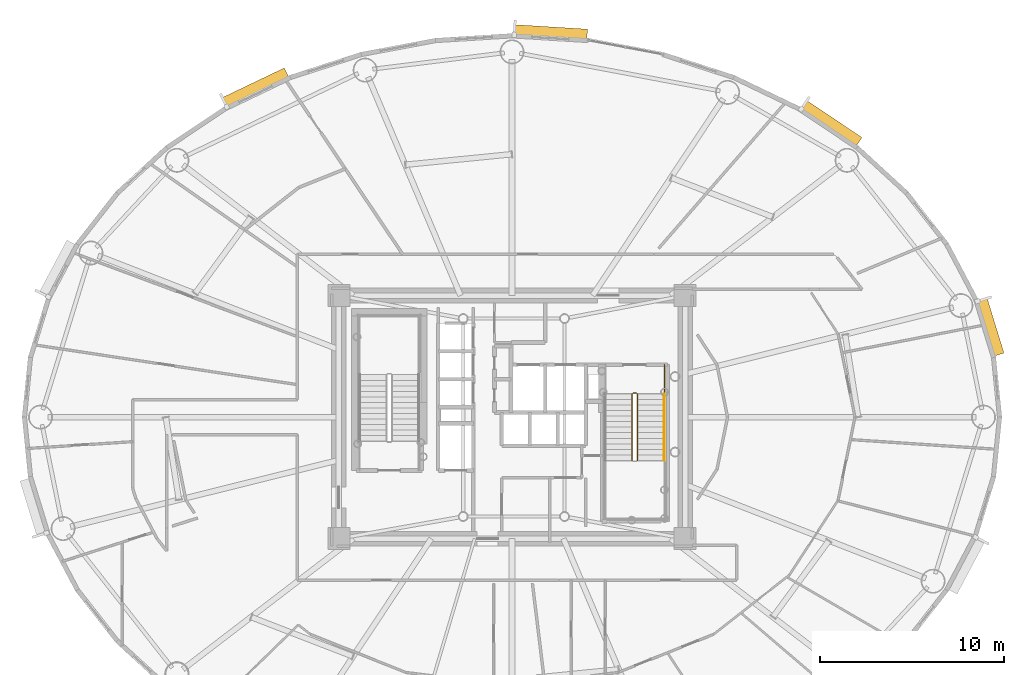
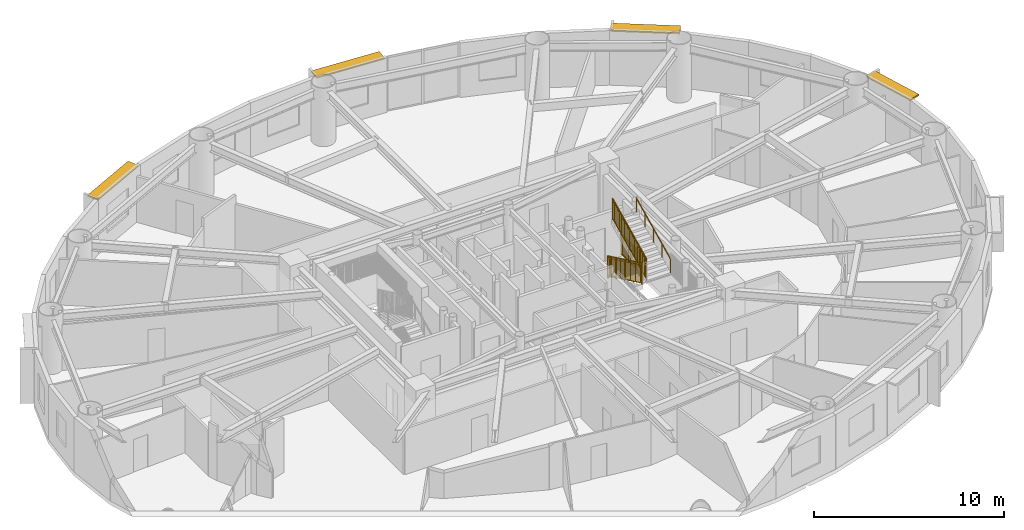
# One storey, part 21 of 21: 5 railings, 4 shading devices.
"""IFC4 building model written with IfcOpenShell, lengths in metres."""

from ifc_helpers import new_model, si_unit, direction, frame, origin, origin_2d, place, context, subcontext, project, spatial, rectangle, extrude, source, transform, mapped, material, layer, layer_set, type_object, element, save


model = new_model("IFC4")

# Units and contexts
model_context = context("Model", 3, precision=1e-05, world=origin(), true_north=direction((0.0, 1.0)))
body_context = subcontext(model_context, "Body", "Model", "MODEL_VIEW")
ifc_project = project(units=[si_unit("LENGTHUNIT", "METRE"), si_unit("AREAUNIT", "SQUARE_METRE"), si_unit("VOLUMEUNIT", "CUBIC_METRE"), si_unit("PLANEANGLEUNIT", "RADIAN"), si_unit("MASSUNIT", "GRAM", prefix="KILO")], contexts=[model_context])

# Site, building, storey
site_placement = place(None, origin())
site = spatial("IfcSite", under=ifc_project, at=site_placement, CompositionType="ELEMENT")
building_placement = place(site_placement, origin())
building = spatial("IfcBuilding", under=site, at=building_placement, Name="Linh Dai School and Residence Tower", CompositionType="ELEMENT")
storey_placement = place(building_placement, frame((0.0, 0.0, 171.14990234375)))
storey = spatial("IfcBuildingStorey", under=building, at=storey_placement, Name="L41", CompositionType="ELEMENT", Elevation=171.14990234375)

# Shading devices
ifc_material_1 = material(Name="Terracotta Ceramic Sunshade", Category="masonry")
ifc_layer = layer(ifc_material_1, 0.10009765625)
ifc_layer_set = layer_set([ifc_layer], Name="Terracotta Ceramic Sunshade")
shading_device_type = type_object("IfcShadingDeviceType", Name="SHD-TC-650", PredefinedType="USERDEFINED", material=ifc_layer_set)
shared_shape_1 = source(origin(), body_context, "Body", "SweptSolid", [
    extrude(rectangle(XDim=3.168212890625, YDim=0.64990234375, at=origin_2d()), origin(), (0.0, 0.0, 1.0), 0.10009765625),
])
shading_device_1_placement = place(storey_placement, frame((61.938720703125, 31.894775390625, 3.380126953125), z_axis=(0.0, 0.0, 1.0), x_axis=(0.293121969301, -0.956075055167, 0.0)))
element("IfcShadingDevice", 1, at=shading_device_1_placement, inside=storey, type_object=shading_device_type, Name="L41 Terracotta Horizontal Sunshade Band 02", ObjectType="SUNSHADE", PredefinedType="USERDEFINED", context=body_context, shape_type="MappedRepresentation", body=[
    mapped(shared_shape_1, transform((0.0, 0.0, 0.0), x_axis=(1.0, 0.0, 0.0), y_axis=(0.0, 1.0, 0.0), z_axis=(0.0, 0.0, 1.0), scale=1.0)),
])
shared_shape_2 = source(origin(), body_context, "Body", "SweptSolid", [
    extrude(rectangle(XDim=3.64794921875, YDim=0.64990234375, at=origin_2d()), origin(), (0.0, 0.0, 1.0), 0.10009765625),
])
shading_device_2_placement = place(storey_placement, frame((53.31103515625, 42.923828125, 3.380126953125), z_axis=(0.0, 0.0, 1.0), x_axis=(0.831228338651, -0.555931154932, 0.0)))
element("IfcShadingDevice", 2, at=shading_device_2_placement, inside=storey, type_object=shading_device_type, Name="L41 Terracotta Horizontal Sunshade Band 06", ObjectType="SUNSHADE", PredefinedType="USERDEFINED", context=body_context, shape_type="MappedRepresentation", body=[
    mapped(shared_shape_2, transform((0.0, 0.0, 0.0), x_axis=(1.0, 0.0, 0.0), y_axis=(0.0, 1.0, 0.0), z_axis=(0.0, 0.0, 1.0), scale=1.0)),
])
shared_shape_3 = source(origin(), body_context, "Body", "SweptSolid", [
    extrude(rectangle(XDim=3.987548828125, YDim=0.64990234375, at=origin_2d()), origin(), (0.0, 0.0, 1.0), 0.10009765625),
])
shading_device_3_placement = place(storey_placement, frame((38.09033203125, 47.86181640625, 3.380126953125), z_axis=(0.0, 0.0, 1.0), x_axis=(0.99810632076, -0.061512376467, 0.0)))
element("IfcShadingDevice", 3, at=shading_device_3_placement, inside=storey, type_object=shading_device_type, Name="L41 Terracotta Horizontal Sunshade Band 10", ObjectType="SUNSHADE", PredefinedType="USERDEFINED", context=body_context, shape_type="MappedRepresentation", body=[
    mapped(shared_shape_3, transform((0.0, 0.0, 0.0), x_axis=(1.0, 0.0, 0.0), y_axis=(0.0, 1.0, 0.0), z_axis=(0.0, 0.0, 1.0), scale=1.0)),
])
shared_shape_4 = source(origin(), body_context, "Body", "SweptSolid", [
    extrude(rectangle(XDim=3.773193359375, YDim=0.64990234375, at=origin_2d()), origin(), (0.0, 0.0, 1.0), 0.10009765625),
])
shading_device_4_placement = place(storey_placement, frame((22.0751953125, 44.850341796875, 3.380126953125), z_axis=(0.0, 0.0, 1.0), x_axis=(0.901569306779, 0.432634701653, 0.0)))
element("IfcShadingDevice", 4, at=shading_device_4_placement, inside=storey, type_object=shading_device_type, Name="L41 Terracotta Horizontal Sunshade Band 14", ObjectType="SUNSHADE", PredefinedType="USERDEFINED", context=body_context, shape_type="MappedRepresentation", body=[
    mapped(shared_shape_4, transform((0.0, 0.0, 0.0), x_axis=(1.0, 0.0, 0.0), y_axis=(0.0, 1.0, 0.0), z_axis=(0.0, 0.0, 1.0), scale=1.0)),
])

# Railings
ifc_material_2 = material(Name="Structural Steel S355JR", Category="steel")
railing_type_1 = type_object("IfcRailingType", Name="RL-ST-GUARD-1400", PredefinedType="GUARDRAIL", material=ifc_material_2)
shared_shape_5 = source(origin(), body_context, "Body", "SweptSolid", [
    extrude(rectangle(XDim=0.048095703125, YDim=0.048095703125, at=origin_2d()), frame((0.0, 0.0, 1.3759765625), z_axis=(0.0, 0.901262522062, 0.433273431364), x_axis=(-1.0, 0.0, 0.0)), (0.0, 0.0, 1.0), 3.994384765625),
    extrude(rectangle(XDim=0.048095703125, YDim=0.048095703125, at=origin_2d()), frame((0.0, 0.0, 0.10009765625), z_axis=(0.0, 0.901262522062, 0.433273431364), x_axis=(-1.0, 0.0, 0.0)), (0.0, 0.0, 1.0), 3.994384765625),
    extrude(rectangle(XDim=0.030029296875, YDim=0.030029296875, at=origin_2d()), frame((0.0, 0.0, 1.239990234375), z_axis=(0.0, 0.901262522062, 0.433273431364), x_axis=(-1.0, 0.0, 0.0)), (0.0, 0.0, 1.0), 3.994384765625),
    extrude(rectangle(XDim=0.02001953125, YDim=0.02001953125, at=origin_2d()), frame((0.0, 0.087890625, 0.142333984375)), (0.0, 0.0, 1.0), 1.251708984375),
    extrude(rectangle(XDim=0.02001953125, YDim=0.02001953125, at=origin_2d()), frame((0.0, 0.175537109375, 0.1845703125)), (0.0, 0.0, 1.0), 1.251708984375),
    extrude(rectangle(XDim=0.02001953125, YDim=0.02001953125, at=origin_2d()), frame((0.0, 0.263427734375, 0.226806640625)), (0.0, 0.0, 1.0), 1.251708984375),
    extrude(rectangle(XDim=0.02001953125, YDim=0.02001953125, at=origin_2d()), frame((0.0, 0.351318359375, 0.26904296875)), (0.0, 0.0, 1.0), 1.251708984375),
    extrude(rectangle(XDim=0.02001953125, YDim=0.02001953125, at=origin_2d()), frame((0.0, 0.43896484375, 0.311279296875)), (0.0, 0.0, 1.0), 1.251708984375),
    extrude(rectangle(XDim=0.02001953125, YDim=0.02001953125, at=origin_2d()), frame((0.0, 0.52685546875, 0.353271484375)), (0.0, 0.0, 1.0), 1.251708984375),
    extrude(rectangle(XDim=0.02001953125, YDim=0.02001953125, at=origin_2d()), frame((0.0, 0.61474609375, 0.3955078125)), (0.0, 0.0, 1.0), 1.251708984375),
    extrude(rectangle(XDim=0.02001953125, YDim=0.02001953125, at=origin_2d()), frame((0.0, 0.702392578125, 0.437744140625)), (0.0, 0.0, 1.0), 1.251708984375),
    extrude(rectangle(XDim=0.02001953125, YDim=0.02001953125, at=origin_2d()), frame((0.0, 0.790283203125, 0.47998046875)), (0.0, 0.0, 1.0), 1.251708984375),
    extrude(rectangle(XDim=0.02001953125, YDim=0.02001953125, at=origin_2d()), frame((0.0, 0.9658203125, 0.564453125)), (0.0, 0.0, 1.0), 1.251708984375),
    extrude(rectangle(XDim=0.02001953125, YDim=0.02001953125, at=origin_2d()), frame((0.0, 1.0537109375, 0.606689453125)), (0.0, 0.0, 1.0), 1.251708984375),
    extrude(rectangle(XDim=0.02001953125, YDim=0.02001953125, at=origin_2d()), frame((0.0, 1.1416015625, 0.64892578125)), (0.0, 0.0, 1.0), 1.251708984375),
    extrude(rectangle(XDim=0.02001953125, YDim=0.02001953125, at=origin_2d()), frame((0.0, 1.229248046875, 0.691162109375)), (0.0, 0.0, 1.0), 1.251708984375),
    extrude(rectangle(XDim=0.02001953125, YDim=0.02001953125, at=origin_2d()), frame((0.0, 1.317138671875, 0.7333984375)), (0.0, 0.0, 1.0), 1.251708984375),
    extrude(rectangle(XDim=0.02001953125, YDim=0.02001953125, at=origin_2d()), frame((0.0, 1.405029296875, 0.775390625)), (0.0, 0.0, 1.0), 1.251708984375),
    extrude(rectangle(XDim=0.02001953125, YDim=0.02001953125, at=origin_2d()), frame((0.0, 1.49267578125, 0.817626953125)), (0.0, 0.0, 1.0), 1.251708984375),
    extrude(rectangle(XDim=0.02001953125, YDim=0.02001953125, at=origin_2d()), frame((0.0, 1.58056640625, 0.85986328125)), (0.0, 0.0, 1.0), 1.251708984375),
    extrude(rectangle(XDim=0.02001953125, YDim=0.02001953125, at=origin_2d()), frame((0.0, 1.66845703125, 0.902099609375)), (0.0, 0.0, 1.0), 1.251708984375),
    extrude(rectangle(XDim=0.02001953125, YDim=0.02001953125, at=origin_2d()), frame((0.0, 1.756103515625, 0.9443359375)), (0.0, 0.0, 1.0), 1.251708984375),
    extrude(rectangle(XDim=0.02001953125, YDim=0.02001953125, at=origin_2d()), frame((0.0, 1.843994140625, 0.986572265625)), (0.0, 0.0, 1.0), 1.251708984375),
    extrude(rectangle(XDim=0.02001953125, YDim=0.02001953125, at=origin_2d()), frame((0.0, 1.931640625, 1.02880859375)), (0.0, 0.0, 1.0), 1.251708984375),
    extrude(rectangle(XDim=0.02001953125, YDim=0.02001953125, at=origin_2d()), frame((0.0, 2.01953125, 1.071044921875)), (0.0, 0.0, 1.0), 1.251708984375),
    extrude(rectangle(XDim=0.02001953125, YDim=0.02001953125, at=origin_2d()), frame((0.0, 2.107421875, 1.11328125)), (0.0, 0.0, 1.0), 1.251708984375),
    extrude(rectangle(XDim=0.02001953125, YDim=0.02001953125, at=origin_2d()), frame((0.0, 2.195068359375, 1.155517578125)), (0.0, 0.0, 1.0), 1.251708984375),
    extrude(rectangle(XDim=0.02001953125, YDim=0.02001953125, at=origin_2d()), frame((0.0, 2.282958984375, 1.197509765625)), (0.0, 0.0, 1.0), 1.251708984375),
    extrude(rectangle(XDim=0.02001953125, YDim=0.02001953125, at=origin_2d()), frame((0.0, 2.370849609375, 1.23974609375)), (0.0, 0.0, 1.0), 1.251708984375),
    extrude(rectangle(XDim=0.02001953125, YDim=0.02001953125, at=origin_2d()), frame((0.0, 2.45849609375, 1.281982421875)), (0.0, 0.0, 1.0), 1.251708984375),
    extrude(rectangle(XDim=0.02001953125, YDim=0.02001953125, at=origin_2d()), frame((0.0, 2.54638671875, 1.32421875)), (0.0, 0.0, 1.0), 1.251708984375),
    extrude(rectangle(XDim=0.02001953125, YDim=0.02001953125, at=origin_2d()), frame((0.0, 2.63427734375, 1.366455078125)), (0.0, 0.0, 1.0), 1.251708984375),
    extrude(rectangle(XDim=0.02001953125, YDim=0.02001953125, at=origin_2d()), frame((0.0, 2.809814453125, 1.450927734375)), (0.0, 0.0, 1.0), 1.251708984375),
    extrude(rectangle(XDim=0.02001953125, YDim=0.02001953125, at=origin_2d()), frame((0.0, 2.897705078125, 1.4931640625)), (0.0, 0.0, 1.0), 1.251708984375),
    extrude(rectangle(XDim=0.02001953125, YDim=0.02001953125, at=origin_2d()), frame((0.0, 2.9853515625, 1.535400390625)), (0.0, 0.0, 1.0), 1.251708984375),
    extrude(rectangle(XDim=0.02001953125, YDim=0.02001953125, at=origin_2d()), frame((0.0, 3.0732421875, 1.57763671875)), (0.0, 0.0, 1.0), 1.251708984375),
    extrude(rectangle(XDim=0.02001953125, YDim=0.02001953125, at=origin_2d()), frame((0.0, 3.1611328125, 1.61962890625)), (0.0, 0.0, 1.0), 1.251708984375),
    extrude(rectangle(XDim=0.02001953125, YDim=0.02001953125, at=origin_2d()), frame((0.0, 3.248779296875, 1.661865234375)), (0.0, 0.0, 1.0), 1.251708984375),
    extrude(rectangle(XDim=0.02001953125, YDim=0.02001953125, at=origin_2d()), frame((0.0, 3.336669921875, 1.7041015625)), (0.0, 0.0, 1.0), 1.251708984375),
    extrude(rectangle(XDim=0.02001953125, YDim=0.02001953125, at=origin_2d()), frame((0.0, 3.424560546875, 1.746337890625)), (0.0, 0.0, 1.0), 1.251708984375),
    extrude(rectangle(XDim=0.02001953125, YDim=0.02001953125, at=origin_2d()), frame((0.0, 3.51220703125, 1.78857421875)), (0.0, 0.0, 1.0), 1.251708984375),
    extrude(rectangle(XDim=0.0419921875, YDim=0.0419921875, at=origin_2d()), origin(), (0.0, 0.0, 1.0), 1.3759765625),
    extrude(rectangle(XDim=0.0419921875, YDim=0.0419921875, at=origin_2d()), frame((0.0, 0.89990234375, 0.4326171875)), (0.0, 0.0, 1.0), 1.3759765625),
    extrude(rectangle(XDim=0.0419921875, YDim=0.0419921875, at=origin_2d()), frame((0.0, 1.800048828125, 0.865234375)), (0.0, 0.0, 1.0), 1.3759765625),
    extrude(rectangle(XDim=0.0419921875, YDim=0.0419921875, at=origin_2d()), frame((0.0, 2.7001953125, 1.298095703125)), (0.0, 0.0, 1.0), 1.3759765625),
    extrude(rectangle(XDim=0.0419921875, YDim=0.0419921875, at=origin_2d()), frame((0.0, 3.60009765625, 1.730712890625)), (0.0, 0.0, 1.0), 1.3759765625),
])
railing_1_placement = place(storey_placement, frame((42.820068359375, 24.64990234375, 2.019287109375)))
element("IfcRailing", 5, at=railing_1_placement, inside=storey, type_object=railing_type_1, Name="L41 ST2 stair guard 6", PredefinedType="GUARDRAIL", context=body_context, shape_type="MappedRepresentation", body=[
    mapped(shared_shape_5, transform((0.0, 0.0, 0.0), x_axis=(1.0, 0.0, 0.0), y_axis=(0.0, 1.0, 0.0), z_axis=(0.0, 0.0, 1.0), scale=1.0)),
])
shared_shape_6 = source(origin(), body_context, "Body", "SweptSolid", [
    extrude(rectangle(XDim=0.048095703125, YDim=0.048095703125, at=origin_2d()), frame((0.0, 0.0, 1.3759765625), z_axis=(0.0, -0.901262522062, 0.433273431364), x_axis=(1.0, 0.0, 0.0)), (0.0, 0.0, 1.0), 3.994384765625),
    extrude(rectangle(XDim=0.048095703125, YDim=0.048095703125, at=origin_2d()), frame((0.0, 0.0, 0.10009765625), z_axis=(0.0, -0.901262522062, 0.433273431364), x_axis=(1.0, 0.0, 0.0)), (0.0, 0.0, 1.0), 3.994384765625),
    extrude(rectangle(XDim=0.030029296875, YDim=0.030029296875, at=origin_2d()), frame((0.0, 0.0, 1.239990234375), z_axis=(0.0, -0.901262522062, 0.433273431364), x_axis=(1.0, 0.0, 0.0)), (0.0, 0.0, 1.0), 3.994384765625),
    extrude(rectangle(XDim=0.02001953125, YDim=0.02001953125, at=origin_2d()), frame((0.0, -0.087890625, 0.142333984375)), (0.0, 0.0, 1.0), 1.251708984375),
    extrude(rectangle(XDim=0.02001953125, YDim=0.02001953125, at=origin_2d()), frame((0.0, -0.175537109375, 0.1845703125)), (0.0, 0.0, 1.0), 1.251708984375),
    extrude(rectangle(XDim=0.02001953125, YDim=0.02001953125, at=origin_2d()), frame((0.0, -0.263427734375, 0.226806640625)), (0.0, 0.0, 1.0), 1.251708984375),
    extrude(rectangle(XDim=0.02001953125, YDim=0.02001953125, at=origin_2d()), frame((0.0, -0.351318359375, 0.26904296875)), (0.0, 0.0, 1.0), 1.251708984375),
    extrude(rectangle(XDim=0.02001953125, YDim=0.02001953125, at=origin_2d()), frame((0.0, -0.43896484375, 0.311279296875)), (0.0, 0.0, 1.0), 1.251708984375),
    extrude(rectangle(XDim=0.02001953125, YDim=0.02001953125, at=origin_2d()), frame((0.0, -0.52685546875, 0.353271484375)), (0.0, 0.0, 1.0), 1.251708984375),
    extrude(rectangle(XDim=0.02001953125, YDim=0.02001953125, at=origin_2d()), frame((0.0, -0.61474609375, 0.3955078125)), (0.0, 0.0, 1.0), 1.251708984375),
    extrude(rectangle(XDim=0.02001953125, YDim=0.02001953125, at=origin_2d()), frame((0.0, -0.702392578125, 0.437744140625)), (0.0, 0.0, 1.0), 1.251708984375),
    extrude(rectangle(XDim=0.02001953125, YDim=0.02001953125, at=origin_2d()), frame((0.0, -0.790283203125, 0.47998046875)), (0.0, 0.0, 1.0), 1.251708984375),
    extrude(rectangle(XDim=0.02001953125, YDim=0.02001953125, at=origin_2d()), frame((0.0, -0.9658203125, 0.564453125)), (0.0, 0.0, 1.0), 1.251708984375),
    extrude(rectangle(XDim=0.02001953125, YDim=0.02001953125, at=origin_2d()), frame((0.0, -1.0537109375, 0.606689453125)), (0.0, 0.0, 1.0), 1.251708984375),
    extrude(rectangle(XDim=0.02001953125, YDim=0.02001953125, at=origin_2d()), frame((0.0, -1.1416015625, 0.64892578125)), (0.0, 0.0, 1.0), 1.251708984375),
    extrude(rectangle(XDim=0.02001953125, YDim=0.02001953125, at=origin_2d()), frame((0.0, -1.229248046875, 0.691162109375)), (0.0, 0.0, 1.0), 1.251708984375),
    extrude(rectangle(XDim=0.02001953125, YDim=0.02001953125, at=origin_2d()), frame((0.0, -1.317138671875, 0.7333984375)), (0.0, 0.0, 1.0), 1.251708984375),
    extrude(rectangle(XDim=0.02001953125, YDim=0.02001953125, at=origin_2d()), frame((0.0, -1.405029296875, 0.775390625)), (0.0, 0.0, 1.0), 1.251708984375),
    extrude(rectangle(XDim=0.02001953125, YDim=0.02001953125, at=origin_2d()), frame((0.0, -1.49267578125, 0.817626953125)), (0.0, 0.0, 1.0), 1.251708984375),
    extrude(rectangle(XDim=0.02001953125, YDim=0.02001953125, at=origin_2d()), frame((0.0, -1.58056640625, 0.85986328125)), (0.0, 0.0, 1.0), 1.251708984375),
    extrude(rectangle(XDim=0.02001953125, YDim=0.02001953125, at=origin_2d()), frame((0.0, -1.66845703125, 0.902099609375)), (0.0, 0.0, 1.0), 1.251708984375),
    extrude(rectangle(XDim=0.02001953125, YDim=0.02001953125, at=origin_2d()), frame((0.0, -1.756103515625, 0.9443359375)), (0.0, 0.0, 1.0), 1.251708984375),
    extrude(rectangle(XDim=0.02001953125, YDim=0.02001953125, at=origin_2d()), frame((0.0, -1.843994140625, 0.986572265625)), (0.0, 0.0, 1.0), 1.251708984375),
    extrude(rectangle(XDim=0.02001953125, YDim=0.02001953125, at=origin_2d()), frame((0.0, -1.931640625, 1.02880859375)), (0.0, 0.0, 1.0), 1.251708984375),
    extrude(rectangle(XDim=0.02001953125, YDim=0.02001953125, at=origin_2d()), frame((0.0, -2.01953125, 1.071044921875)), (0.0, 0.0, 1.0), 1.251708984375),
    extrude(rectangle(XDim=0.02001953125, YDim=0.02001953125, at=origin_2d()), frame((0.0, -2.107421875, 1.11328125)), (0.0, 0.0, 1.0), 1.251708984375),
    extrude(rectangle(XDim=0.02001953125, YDim=0.02001953125, at=origin_2d()), frame((0.0, -2.195068359375, 1.155517578125)), (0.0, 0.0, 1.0), 1.251708984375),
    extrude(rectangle(XDim=0.02001953125, YDim=0.02001953125, at=origin_2d()), frame((0.0, -2.282958984375, 1.197509765625)), (0.0, 0.0, 1.0), 1.251708984375),
    extrude(rectangle(XDim=0.02001953125, YDim=0.02001953125, at=origin_2d()), frame((0.0, -2.370849609375, 1.23974609375)), (0.0, 0.0, 1.0), 1.251708984375),
    extrude(rectangle(XDim=0.02001953125, YDim=0.02001953125, at=origin_2d()), frame((0.0, -2.45849609375, 1.281982421875)), (0.0, 0.0, 1.0), 1.251708984375),
    extrude(rectangle(XDim=0.02001953125, YDim=0.02001953125, at=origin_2d()), frame((0.0, -2.54638671875, 1.32421875)), (0.0, 0.0, 1.0), 1.251708984375),
    extrude(rectangle(XDim=0.02001953125, YDim=0.02001953125, at=origin_2d()), frame((0.0, -2.63427734375, 1.366455078125)), (0.0, 0.0, 1.0), 1.251708984375),
    extrude(rectangle(XDim=0.02001953125, YDim=0.02001953125, at=origin_2d()), frame((0.0, -2.809814453125, 1.450927734375)), (0.0, 0.0, 1.0), 1.251708984375),
    extrude(rectangle(XDim=0.02001953125, YDim=0.02001953125, at=origin_2d()), frame((0.0, -2.897705078125, 1.4931640625)), (0.0, 0.0, 1.0), 1.251708984375),
    extrude(rectangle(XDim=0.02001953125, YDim=0.02001953125, at=origin_2d()), frame((0.0, -2.9853515625, 1.535400390625)), (0.0, 0.0, 1.0), 1.251708984375),
    extrude(rectangle(XDim=0.02001953125, YDim=0.02001953125, at=origin_2d()), frame((0.0, -3.0732421875, 1.57763671875)), (0.0, 0.0, 1.0), 1.251708984375),
    extrude(rectangle(XDim=0.02001953125, YDim=0.02001953125, at=origin_2d()), frame((0.0, -3.1611328125, 1.61962890625)), (0.0, 0.0, 1.0), 1.251708984375),
    extrude(rectangle(XDim=0.02001953125, YDim=0.02001953125, at=origin_2d()), frame((0.0, -3.248779296875, 1.661865234375)), (0.0, 0.0, 1.0), 1.251708984375),
    extrude(rectangle(XDim=0.02001953125, YDim=0.02001953125, at=origin_2d()), frame((0.0, -3.336669921875, 1.7041015625)), (0.0, 0.0, 1.0), 1.251708984375),
    extrude(rectangle(XDim=0.02001953125, YDim=0.02001953125, at=origin_2d()), frame((0.0, -3.424560546875, 1.746337890625)), (0.0, 0.0, 1.0), 1.251708984375),
    extrude(rectangle(XDim=0.02001953125, YDim=0.02001953125, at=origin_2d()), frame((0.0, -3.51220703125, 1.78857421875)), (0.0, 0.0, 1.0), 1.251708984375),
    extrude(rectangle(XDim=0.0419921875, YDim=0.0419921875, at=origin_2d()), origin(), (0.0, 0.0, 1.0), 1.3759765625),
    extrude(rectangle(XDim=0.0419921875, YDim=0.0419921875, at=origin_2d()), frame((0.0, -0.89990234375, 0.4326171875)), (0.0, 0.0, 1.0), 1.3759765625),
    extrude(rectangle(XDim=0.0419921875, YDim=0.0419921875, at=origin_2d()), frame((0.0, -1.800048828125, 0.865234375)), (0.0, 0.0, 1.0), 1.3759765625),
    extrude(rectangle(XDim=0.0419921875, YDim=0.0419921875, at=origin_2d()), frame((0.0, -2.7001953125, 1.298095703125)), (0.0, 0.0, 1.0), 1.3759765625),
    extrude(rectangle(XDim=0.0419921875, YDim=0.0419921875, at=origin_2d()), frame((0.0, -3.60009765625, 1.730712890625)), (0.0, 0.0, 1.0), 1.3759765625),
])
railing_2_placement = place(storey_placement, frame((42.52001953125, 28.25, 0.144287109375)))
element("IfcRailing", 6, at=railing_2_placement, inside=storey, type_object=railing_type_1, Name="L41 ST2 stair guard 1", PredefinedType="GUARDRAIL", context=body_context, shape_type="MappedRepresentation", body=[
    mapped(shared_shape_6, transform((0.0, 0.0, 0.0), x_axis=(1.0, 0.0, 0.0), y_axis=(0.0, 1.0, 0.0), z_axis=(0.0, 0.0, 1.0), scale=1.0)),
])
ifc_material_3 = material(Name="Brushed Stainless Steel Handrail", Category="steel")
railing_type_2 = type_object("IfcRailingType", Name="RL-ST-HANDRAIL-900", PredefinedType="HANDRAIL", material=ifc_material_3)
shared_shape_7 = source(origin(), body_context, "Body", "SweptSolid", [
    extrude(rectangle(XDim=0.048095703125, YDim=0.048095703125, at=origin_2d()), frame((0.0, 0.0, 0.8759765625), z_axis=(0.0, 0.901262522062, 0.433273431364), x_axis=(-1.0, 0.0, 0.0)), (0.0, 0.0, 1.0), 3.994384765625),
    extrude(rectangle(XDim=0.0419921875, YDim=0.0419921875, at=origin_2d()), origin(), (0.0, 0.0, 1.0), 0.8759765625),
    extrude(rectangle(XDim=0.0419921875, YDim=0.0419921875, at=origin_2d()), frame((0.0, 0.89990234375, 0.4326171875)), (0.0, 0.0, 1.0), 0.8759765625),
    extrude(rectangle(XDim=0.0419921875, YDim=0.0419921875, at=origin_2d()), frame((0.0, 1.800048828125, 0.865234375)), (0.0, 0.0, 1.0), 0.8759765625),
    extrude(rectangle(XDim=0.0419921875, YDim=0.0419921875, at=origin_2d()), frame((0.0, 2.7001953125, 1.298095703125)), (0.0, 0.0, 1.0), 0.8759765625),
    extrude(rectangle(XDim=0.0419921875, YDim=0.0419921875, at=origin_2d()), frame((0.0, 3.60009765625, 1.730712890625)), (0.0, 0.0, 1.0), 0.8759765625),
])
railing_3_placement = place(storey_placement, frame((44.27001953125, 24.64990234375, 2.019287109375)))
element("IfcRailing", 7, at=railing_3_placement, inside=storey, type_object=railing_type_2, Name="L41 ST2 stair handrail 2", PredefinedType="HANDRAIL", context=body_context, shape_type="MappedRepresentation", body=[
    mapped(shared_shape_7, transform((0.0, 0.0, 0.0), x_axis=(1.0, 0.0, 0.0), y_axis=(0.0, 1.0, 0.0), z_axis=(0.0, 0.0, 1.0), scale=1.0)),
])
shared_shape_8 = source(origin(), body_context, "Body", "SweptSolid", [
    extrude(rectangle(XDim=0.048095703125, YDim=0.048095703125, at=origin_2d()), frame((0.0, 0.0, 1.3759765625), z_axis=(1.0, 0.0, 0.0), x_axis=(0.0, 1.0, 0.0)), (0.0, 0.0, 1.0), 0.199951171875),
    extrude(rectangle(XDim=0.048095703125, YDim=0.048095703125, at=origin_2d()), frame((0.0, 0.0, 0.10009765625), z_axis=(1.0, 0.0, 0.0), x_axis=(0.0, 1.0, 0.0)), (0.0, 0.0, 1.0), 0.199951171875),
    extrude(rectangle(XDim=0.030029296875, YDim=0.030029296875, at=origin_2d()), frame((0.0, 0.0, 1.239990234375), z_axis=(1.0, 0.0, 0.0), x_axis=(0.0, 1.0, 0.0)), (0.0, 0.0, 1.0), 0.199951171875),
    extrude(rectangle(XDim=0.0419921875, YDim=0.0419921875, at=origin_2d()), origin(), (0.0, 0.0, 1.0), 1.3759765625),
    extrude(rectangle(XDim=0.0419921875, YDim=0.0419921875, at=origin_2d()), frame((0.199951171875, 0.0, 0.0)), (0.0, 0.0, 1.0), 1.3759765625),
])
railing_4_placement = place(storey_placement, frame((42.570068359375, 28.300048828125, 0.0)))
element("IfcRailing", 8, at=railing_4_placement, inside=storey, type_object=railing_type_1, Name="L41 ST2 stair guard 7", PredefinedType="GUARDRAIL", context=body_context, shape_type="MappedRepresentation", body=[
    mapped(shared_shape_8, transform((0.0, 0.0, 0.0), x_axis=(1.0, 0.0, 0.0), y_axis=(0.0, 1.0, 0.0), z_axis=(0.0, 0.0, 1.0), scale=1.0)),
])
shared_shape_9 = source(origin(), body_context, "Body", "SweptSolid", [
    extrude(rectangle(XDim=0.048095703125, YDim=0.048095703125, at=origin_2d()), frame((0.0, 0.0, 1.3759765625), z_axis=(0.0, -1.0, 0.0), x_axis=(1.0, 0.0, 0.0)), (0.0, 0.0, 1.0), 1.60009765625),
    extrude(rectangle(XDim=0.048095703125, YDim=0.048095703125, at=origin_2d()), frame((0.0, 0.0, 0.10009765625), z_axis=(0.0, -1.0, 0.0), x_axis=(1.0, 0.0, 0.0)), (0.0, 0.0, 1.0), 1.60009765625),
    extrude(rectangle(XDim=0.030029296875, YDim=0.030029296875, at=origin_2d()), frame((0.0, 0.0, 1.239990234375), z_axis=(0.0, -1.0, 0.0), x_axis=(1.0, 0.0, 0.0)), (0.0, 0.0, 1.0), 1.60009765625),
    extrude(rectangle(XDim=0.02001953125, YDim=0.02001953125, at=origin_2d()), frame((0.0, -0.09423828125, 0.10009765625)), (0.0, 0.0, 1.0), 1.251708984375),
    extrude(rectangle(XDim=0.02001953125, YDim=0.02001953125, at=origin_2d()), frame((0.0, -0.188232421875, 0.10009765625)), (0.0, 0.0, 1.0), 1.251708984375),
    extrude(rectangle(XDim=0.02001953125, YDim=0.02001953125, at=origin_2d()), frame((0.0, -0.282470703125, 0.10009765625)), (0.0, 0.0, 1.0), 1.251708984375),
    extrude(rectangle(XDim=0.02001953125, YDim=0.02001953125, at=origin_2d()), frame((0.0, -0.37646484375, 0.10009765625)), (0.0, 0.0, 1.0), 1.251708984375),
    extrude(rectangle(XDim=0.02001953125, YDim=0.02001953125, at=origin_2d()), frame((0.0, -0.470703125, 0.10009765625)), (0.0, 0.0, 1.0), 1.251708984375),
    extrude(rectangle(XDim=0.02001953125, YDim=0.02001953125, at=origin_2d()), frame((0.0, -0.564697265625, 0.10009765625)), (0.0, 0.0, 1.0), 1.251708984375),
    extrude(rectangle(XDim=0.02001953125, YDim=0.02001953125, at=origin_2d()), frame((0.0, -0.658935546875, 0.10009765625)), (0.0, 0.0, 1.0), 1.251708984375),
    extrude(rectangle(XDim=0.02001953125, YDim=0.02001953125, at=origin_2d()), frame((0.0, -0.7529296875, 0.10009765625)), (0.0, 0.0, 1.0), 1.251708984375),
    extrude(rectangle(XDim=0.02001953125, YDim=0.02001953125, at=origin_2d()), frame((0.0, -0.84716796875, 0.10009765625)), (0.0, 0.0, 1.0), 1.251708984375),
    extrude(rectangle(XDim=0.02001953125, YDim=0.02001953125, at=origin_2d()), frame((0.0, -0.941162109375, 0.10009765625)), (0.0, 0.0, 1.0), 1.251708984375),
    extrude(rectangle(XDim=0.02001953125, YDim=0.02001953125, at=origin_2d()), frame((0.0, -1.035400390625, 0.10009765625)), (0.0, 0.0, 1.0), 1.251708984375),
    extrude(rectangle(XDim=0.02001953125, YDim=0.02001953125, at=origin_2d()), frame((0.0, -1.12939453125, 0.10009765625)), (0.0, 0.0, 1.0), 1.251708984375),
    extrude(rectangle(XDim=0.02001953125, YDim=0.02001953125, at=origin_2d()), frame((0.0, -1.2236328125, 0.10009765625)), (0.0, 0.0, 1.0), 1.251708984375),
    extrude(rectangle(XDim=0.02001953125, YDim=0.02001953125, at=origin_2d()), frame((0.0, -1.317626953125, 0.10009765625)), (0.0, 0.0, 1.0), 1.251708984375),
    extrude(rectangle(XDim=0.02001953125, YDim=0.02001953125, at=origin_2d()), frame((0.0, -1.411865234375, 0.10009765625)), (0.0, 0.0, 1.0), 1.251708984375),
    extrude(rectangle(XDim=0.02001953125, YDim=0.02001953125, at=origin_2d()), frame((0.0, -1.505859375, 0.10009765625)), (0.0, 0.0, 1.0), 1.251708984375),
    extrude(rectangle(XDim=0.0419921875, YDim=0.0419921875, at=origin_2d()), origin(), (0.0, 0.0, 1.0), 1.3759765625),
    extrude(rectangle(XDim=0.0419921875, YDim=0.0419921875, at=origin_2d()), frame((0.0, -0.800048828125, 0.0)), (0.0, 0.0, 1.0), 1.3759765625),
    extrude(rectangle(XDim=0.0419921875, YDim=0.0419921875, at=origin_2d()), frame((0.0, -1.60009765625, 0.0)), (0.0, 0.0, 1.0), 1.3759765625),
])
railing_5_placement = place(storey_placement, frame((44.27001953125, 29.85009765625, 0.0)))
element("IfcRailing", 9, at=railing_5_placement, inside=storey, type_object=railing_type_1, Name="L41 ST2 stair guard 9", PredefinedType="GUARDRAIL", context=body_context, shape_type="MappedRepresentation", body=[
    mapped(shared_shape_9, transform((0.0, 0.0, 0.0), x_axis=(1.0, 0.0, 0.0), y_axis=(0.0, 1.0, 0.0), z_axis=(0.0, 0.0, 1.0), scale=1.0)),
])

save(model, "model.ifc")
